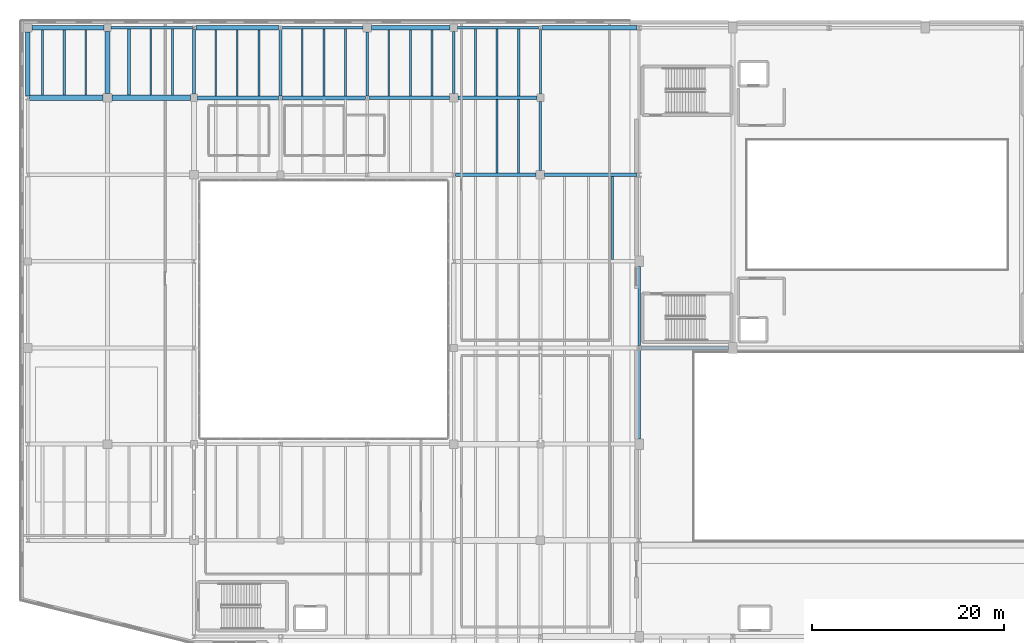
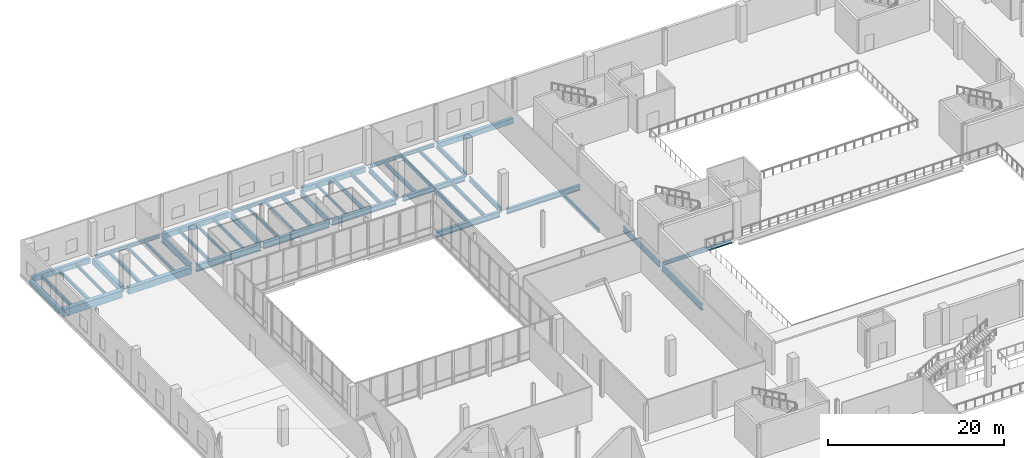
# One storey, part 34 of 73: 47 beams.
"""IFC4 building model written with IfcOpenShell, lengths in metres."""

from ifc_helpers import new_model, si_unit, direction, frame, origin, origin_2d, place, context, subcontext, project, spatial, rectangle, i_section, extrude, material, material_profile, profile_set, type_object, element, save


model = new_model("IFC4")

# Units and contexts
model_context = context("Model", 3, precision=1e-05, world=origin(), true_north=direction((0.0, 1.0)))
body_context = subcontext(model_context, "Body", "Model", "MODEL_VIEW")
ifc_project = project(units=[si_unit("LENGTHUNIT", "METRE"), si_unit("AREAUNIT", "SQUARE_METRE"), si_unit("VOLUMEUNIT", "CUBIC_METRE"), si_unit("PLANEANGLEUNIT", "RADIAN"), si_unit("MASSUNIT", "GRAM", prefix="KILO")], contexts=[model_context])

# Site, building, storey
site_placement = place(None, origin())
site = spatial("IfcSite", under=ifc_project, at=site_placement, CompositionType="ELEMENT")
building_placement = place(site_placement, origin())
building = spatial("IfcBuilding", under=site, at=building_placement, Name="Trimount Lyric Opera House", CompositionType="ELEMENT")
storey_placement = place(building_placement, frame((0.0, 0.0, 10.0)))
storey = spatial("IfcBuildingStorey", under=building, at=storey_placement, Name="L02", CompositionType="ELEMENT", Elevation=10.0)

# Beams
ifc_material_1 = material(Name="Steel ASTM A992 Grade 50", Category="steel")
ifc_material_profile_1 = material_profile(ifc_material_1, i_section(OverallWidth=0.4189453125, OverallDepth=0.927001953125, WebThickness=0.019287109375, FlangeThickness=0.031982421875, FilletRadius=0.02392578125, at=origin_2d()), Name="W36X231")
ifc_profile_set_1 = profile_set([ifc_material_profile_1], Name="Steel ASTM A992 Grade 50")
beam_type_1 = type_object("IfcBeamType", Name="B-02", PredefinedType="BEAM", material=ifc_profile_set_1)
beam_1_placement = place(storey_placement, frame((18.375, 110.0, -0.743408203125), z_axis=(1.0, 0.0, 0.0), x_axis=(0.0, 1.0, 0.0)))
element("IfcBeam", 1, at=beam_1_placement, inside=storey, type_object=beam_type_1, Name="L02 girder X-0802", PredefinedType="BEAM", context=body_context, shape_type="SweptSolid", body=[
    extrude(i_section(OverallWidth=0.4189453125, OverallDepth=0.927001953125, WebThickness=0.019287109375, FlangeThickness=0.031982421875, FilletRadius=0.02392578125, at=origin_2d()), origin(), (0.0, 0.0, 1.0), 8.44091796875),
])
ifc_material_2 = material(Name="Steel ASTM A992 Grade 50", Category="steel")
ifc_material_profile_2 = material_profile(ifc_material_2, i_section(OverallWidth=0.304931640625, OverallDepth=0.9189453125, WebThickness=0.017333984375, FlangeThickness=0.02783203125, FilletRadius=0.02001953125, at=origin_2d()), Name="W36X170")
ifc_profile_set_2 = profile_set([ifc_material_profile_2], Name="Steel ASTM A992 Grade 50")
beam_type_2 = type_object("IfcBeamType", Name="B-03", PredefinedType="BEAM", material=ifc_profile_set_2)
beam_2_placement = place(storey_placement, frame((18.0, 110.375, -0.739501953125), z_axis=(0.0, 1.0, 0.0), x_axis=(-1.0, 0.0, 0.0)))
element("IfcBeam", 2, at=beam_2_placement, inside=storey, type_object=beam_type_2, Name="L02 girder Y-0844", PredefinedType="BEAM", context=body_context, shape_type="SweptSolid", body=[
    extrude(i_section(OverallWidth=0.304931640625, OverallDepth=0.9189453125, WebThickness=0.017333984375, FlangeThickness=0.02783203125, FilletRadius=0.02001953125, at=origin_2d()), origin(), (0.0, 0.0, 1.0), 6.72705078125),
])
ifc_material_3 = material(Name="Steel ASTM A992 Grade 50", Category="steel")
ifc_material_profile_3 = material_profile(ifc_material_3, i_section(OverallWidth=0.40087890625, OverallDepth=0.861083984375, WebThickness=0.019775390625, FlangeThickness=0.032470703125, FilletRadius=0.02001953125, at=origin_2d()), Name="W33X221")
ifc_profile_set_3 = profile_set([ifc_material_profile_3], Name="Steel ASTM A992 Grade 50")
beam_type_3 = type_object("IfcBeamType", Name="B-04", PredefinedType="BEAM", material=ifc_profile_set_3)
beam_3_placement = place(storey_placement, frame((27.18408203125, 110.0, -0.71044921875), z_axis=(1.0, 0.0, 0.0), x_axis=(0.0, 1.0, 0.0)))
element("IfcBeam", 3, at=beam_3_placement, inside=storey, type_object=beam_type_3, Name="L02 girder X-0803", PredefinedType="BEAM", context=body_context, shape_type="SweptSolid", body=[
    extrude(i_section(OverallWidth=0.40087890625, OverallDepth=0.861083984375, WebThickness=0.019775390625, FlangeThickness=0.032470703125, FilletRadius=0.02001953125, at=origin_2d()), origin(), (0.0, 0.0, 1.0), 8.62939453125),
])
ifc_material_4 = material(Name="Steel ASTM A992 Grade 50", Category="steel")
ifc_material_profile_4 = material_profile(ifc_material_4, i_section(OverallWidth=0.2919921875, OverallDepth=0.845947265625, WebThickness=0.015380859375, FlangeThickness=0.0244140625, FilletRadius=0.01806640625, at=origin_2d()), Name="W33X141")
ifc_profile_set_4 = profile_set([ifc_material_profile_4], Name="Steel ASTM A992 Grade 50")
beam_type_4 = type_object("IfcBeamType", Name="B-05", PredefinedType="BEAM", material=ifc_profile_set_4)
beam_4_placement = place(storey_placement, frame((27.0, 110.177978515625, -0.702880859375), z_axis=(0.0, 1.0, 0.0), x_axis=(-1.0, 0.0, 0.0)))
element("IfcBeam", 4, at=beam_4_placement, inside=storey, type_object=beam_type_4, Name="L02 girder Y-0848", PredefinedType="BEAM", context=body_context, shape_type="SweptSolid", body=[
    extrude(i_section(OverallWidth=0.2919921875, OverallDepth=0.845947265625, WebThickness=0.015380859375, FlangeThickness=0.0244140625, FilletRadius=0.01806640625, at=origin_2d()), origin(), (0.0, 0.0, 1.0), 6.91796875),
])
beam_5_placement = place(storey_placement, frame((64.260009765625, 74.550048828125, -0.748046875), z_axis=(0.0, 1.0, 0.0), x_axis=(-1.0, 0.0, 0.0)))
element("IfcBeam", 5, at=beam_5_placement, inside=storey, type_object=beam_type_4, Name="L02 girder Y-0878", PredefinedType="BEAM", context=body_context, shape_type="SweptSolid", body=[
    extrude(i_section(OverallWidth=0.2919921875, OverallDepth=0.845947265625, WebThickness=0.015380859375, FlangeThickness=0.0244140625, FilletRadius=0.01806640625, at=origin_2d()), origin(), (0.0, 0.0, 1.0), 9.217529296875),
])
ifc_material_5 = material(Name="Steel ASTM A992 Grade 50", Category="steel")
ifc_material_profile_5 = material_profile(ifc_material_5, i_section(OverallWidth=0.382080078125, OverallDepth=0.779052734375, WebThickness=0.01806640625, FlangeThickness=0.0302734375, FilletRadius=0.01904296875, at=origin_2d()), Name="W30X191")
ifc_profile_set_5 = profile_set([ifc_material_profile_5], Name="Steel ASTM A992 Grade 50")
beam_type_5 = type_object("IfcBeamType", Name="B-06", PredefinedType="BEAM", material=ifc_profile_set_5)
for number, where, z_axis, x_axis, name in (
    (6, (45.1865234375, 102.0, -0.66943359375), (1.0, 0.0, 0.0), (0.0, 1.0, 0.0), "L02 girder X-0792"),
    (7, (36.1865234375, 110.0, -0.66943359375), (1.0, 0.0, 0.0), (0.0, 1.0, 0.0), "L02 girder X-0804"),
):
    element("IfcBeam", number, at=place(storey_placement, frame(where, z_axis=z_axis, x_axis=x_axis)), inside=storey, type_object=beam_type_5, Name=name, PredefinedType="BEAM", context=body_context, shape_type="SweptSolid", body=[
        extrude(i_section(OverallWidth=0.382080078125, OverallDepth=0.779052734375, WebThickness=0.01806640625, FlangeThickness=0.0302734375, FilletRadius=0.01904296875, at=origin_2d()), origin(), (0.0, 0.0, 1.0), 8.363525390625),
    ])
ifc_material_6 = material(Name="Steel ASTM A992 Grade 50", Category="steel")
ifc_material_profile_6 = material_profile(ifc_material_6, i_section(OverallWidth=0.26708984375, OverallDepth=0.761962890625, WebThickness=0.014404296875, FlangeThickness=0.021484375, FilletRadius=0.01708984375, at=origin_2d()), Name="W30X116")
ifc_profile_set_6 = profile_set([ifc_material_profile_6], Name="Steel ASTM A992 Grade 50")
beam_type_6 = type_object("IfcBeamType", Name="B-07", PredefinedType="BEAM", material=ifc_profile_set_6)
beam_6_placement = place(storey_placement, frame((36.0, 110.18408203125, -0.660888671875), z_axis=(0.0, 1.0, 0.0), x_axis=(-1.0, 0.0, 0.0)))
element("IfcBeam", 8, at=beam_6_placement, inside=storey, type_object=beam_type_6, Name="L02 girder Y-0852", PredefinedType="BEAM", context=body_context, shape_type="SweptSolid", body=[
    extrude(i_section(OverallWidth=0.26708984375, OverallDepth=0.761962890625, WebThickness=0.014404296875, FlangeThickness=0.021484375, FilletRadius=0.01708984375, at=origin_2d()), origin(), (0.0, 0.0, 1.0), 6.64599609375),
])
beam_7_placement = place(storey_placement, frame((64.260009765625, 84.232421875, -0.7060546875), z_axis=(0.0, 1.0, 0.0), x_axis=(-1.0, 0.0, 0.0)))
element("IfcBeam", 9, at=beam_7_placement, inside=storey, type_object=beam_type_6, Name="L02 girder Y-0879", PredefinedType="BEAM", context=body_context, shape_type="SweptSolid", body=[
    extrude(i_section(OverallWidth=0.26708984375, OverallDepth=0.761962890625, WebThickness=0.014404296875, FlangeThickness=0.021484375, FilletRadius=0.01708984375, at=origin_2d()), origin(), (0.0, 0.0, 1.0), 8.217529296875),
])
ifc_material_7 = material(Name="Steel ASTM A992 Grade 50", Category="steel")
ifc_material_profile_7 = material_profile(ifc_material_7, i_section(OverallWidth=0.35595703125, OverallDepth=0.700927734375, WebThickness=0.016845703125, FlangeThickness=0.02734375, FilletRadius=0.01806640625, at=origin_2d()), Name="W27X161")
ifc_profile_set_7 = profile_set([ifc_material_profile_7], Name="Steel ASTM A992 Grade 50")
beam_type_7 = type_object("IfcBeamType", Name="B-08", PredefinedType="BEAM", material=ifc_profile_set_7)
beam_8_placement = place(storey_placement, frame((54.449951171875, 102.0, -0.675537109375), z_axis=(1.0, 0.0, 0.0), x_axis=(0.0, 1.0, 0.0)))
element("IfcBeam", 10, at=beam_8_placement, inside=storey, type_object=beam_type_7, Name="L02 girder X-0793", PredefinedType="BEAM", context=body_context, shape_type="SweptSolid", body=[
    extrude(i_section(OverallWidth=0.35595703125, OverallDepth=0.700927734375, WebThickness=0.016845703125, FlangeThickness=0.02734375, FilletRadius=0.01806640625, at=origin_2d()), origin(), (0.0, 0.0, 1.0), 9.59912109375),
])
beam_9_placement = place(storey_placement, frame((45.449951171875, 110.0, -0.630615234375), z_axis=(1.0, 0.0, 0.0), x_axis=(0.0, 1.0, 0.0)))
element("IfcBeam", 11, at=beam_9_placement, inside=storey, type_object=beam_type_7, Name="L02 girder X-0805", PredefinedType="BEAM", context=body_context, shape_type="SweptSolid", body=[
    extrude(i_section(OverallWidth=0.35595703125, OverallDepth=0.700927734375, WebThickness=0.016845703125, FlangeThickness=0.02734375, FilletRadius=0.01806640625, at=origin_2d()), origin(), (0.0, 0.0, 1.0), 8.175048828125),
])
ifc_material_8 = material(Name="Steel ASTM A992 Grade 50", Category="steel")
ifc_material_profile_8 = material_profile(ifc_material_8, i_section(OverallWidth=0.25390625, OverallDepth=0.68798828125, WebThickness=0.01318359375, FlangeThickness=0.02099609375, FilletRadius=0.01611328125, at=origin_2d()), Name="W27X102")
ifc_profile_set_8 = profile_set([ifc_material_profile_8], Name="Steel ASTM A992 Grade 50")
beam_type_8 = type_object("IfcBeamType", Name="B-09", PredefinedType="BEAM", material=ifc_profile_set_8)
beam_10_placement = place(storey_placement, frame((45.0, 110.449951171875, -0.6240234375), z_axis=(0.0, 1.0, 0.0), x_axis=(-1.0, 0.0, 0.0)))
element("IfcBeam", 12, at=beam_10_placement, inside=storey, type_object=beam_type_8, Name="L02 girder Y-0862", PredefinedType="BEAM", context=body_context, shape_type="SweptSolid", body=[
    extrude(i_section(OverallWidth=0.25390625, OverallDepth=0.68798828125, WebThickness=0.01318359375, FlangeThickness=0.02099609375, FilletRadius=0.01611328125, at=origin_2d()), origin(), (0.0, 0.0, 1.0), 6.455078125),
])
beam_11_placement = place(storey_placement, frame((54.0, 102.449951171875, -0.6240234375), z_axis=(0.0, 1.0, 0.0), x_axis=(-1.0, 0.0, 0.0)))
element("IfcBeam", 13, at=beam_11_placement, inside=storey, type_object=beam_type_8, Name="L02 girder Y-0871", PredefinedType="BEAM", context=body_context, shape_type="SweptSolid", body=[
    extrude(i_section(OverallWidth=0.25390625, OverallDepth=0.68798828125, WebThickness=0.01318359375, FlangeThickness=0.02099609375, FilletRadius=0.01611328125, at=origin_2d()), origin(), (0.0, 0.0, 1.0), 7.175048828125),
])
ifc_material_9 = material(Name="Steel ASTM A992 Grade 50", Category="steel")
ifc_material_profile_9 = material_profile(ifc_material_9, i_section(OverallWidth=0.22998046875, OverallDepth=0.616943359375, WebThickness=0.01318359375, FlangeThickness=0.022216796875, FilletRadius=0.013916015625, at=origin_2d()), Name="W24X94")
ifc_profile_set_9 = profile_set([ifc_material_profile_9], Name="Steel ASTM A992 Grade 50")
beam_type_9 = type_object("IfcBeamType", Name="B-11", PredefinedType="BEAM", material=ifc_profile_set_9)
beam_12_placement = place(storey_placement, frame((54.0, 110.375, -0.58837890625), z_axis=(0.0, 1.0, 0.0), x_axis=(-1.0, 0.0, 0.0)))
element("IfcBeam", 14, at=beam_12_placement, inside=storey, type_object=beam_type_9, Name="L02 girder Y-0872", PredefinedType="BEAM", context=body_context, shape_type="SweptSolid", body=[
    extrude(i_section(OverallWidth=0.22998046875, OverallDepth=0.616943359375, WebThickness=0.01318359375, FlangeThickness=0.022216796875, FilletRadius=0.013916015625, at=origin_2d()), origin(), (0.0, 0.0, 1.0), 6.72705078125),
])
ifc_material_10 = material(Name="Concrete C40/50", Category="concrete")
ifc_material_profile_10 = material_profile(ifc_material_10, rectangle(XDim=0.60009765625, YDim=1.0, at=origin_2d()), Name="RC600X1000")
ifc_profile_set_10 = profile_set([ifc_material_profile_10], Name="Concrete C40/50")
beam_type_10 = type_object("IfcBeamType", Name="B-13", PredefinedType="BEAM", material=ifc_profile_set_10)
beam_13_placement = place(storey_placement, frame((0.906494140625, 110.0, -0.780029296875), z_axis=(1.0, 0.0, 0.0), x_axis=(0.0, 1.0, 0.0)))
element("IfcBeam", 15, at=beam_13_placement, inside=storey, type_object=beam_type_10, Name="L02 girder X-0800", PredefinedType="BEAM", context=body_context, shape_type="SweptSolid", body=[
    extrude(rectangle(XDim=0.60009765625, YDim=1.0, at=origin_2d()), origin(), (0.0, 0.0, 1.0), 7.6435546875),
])
ifc_material_11 = material(Name="Concrete C40/50", Category="concrete")
ifc_material_profile_11 = material_profile(ifc_material_11, rectangle(XDim=0.550048828125, YDim=0.89990234375, at=origin_2d()), Name="RC550X900")
ifc_profile_set_11 = profile_set([ifc_material_profile_11], Name="Concrete C40/50")
beam_type_11 = type_object("IfcBeamType", Name="B-14", PredefinedType="BEAM", material=ifc_profile_set_11)
beam_14_placement = place(storey_placement, frame((9.449951171875, 110.0, -0.72998046875), z_axis=(1.0, 0.0, 0.0), x_axis=(0.0, 1.0, 0.0)))
element("IfcBeam", 16, at=beam_14_placement, inside=storey, type_object=beam_type_11, Name="L02 girder X-0801", PredefinedType="BEAM", context=body_context, shape_type="SweptSolid", body=[
    extrude(rectangle(XDim=0.550048828125, YDim=0.89990234375, at=origin_2d()), origin(), (0.0, 0.0, 1.0), 8.175048828125),
])
ifc_material_12 = material(Name="Concrete C40/50", Category="concrete")
ifc_material_profile_12 = material_profile(ifc_material_12, rectangle(XDim=0.5, YDim=0.800048828125, at=origin_2d()), Name="RC500X800")
ifc_profile_set_12 = profile_set([ifc_material_profile_12], Name="Concrete C40/50")
beam_type_12 = type_object("IfcBeamType", Name="B-15", PredefinedType="BEAM", material=ifc_profile_set_12)
beam_15_placement = place(storey_placement, frame((9.0, 110.449951171875, -0.679931640625), z_axis=(0.0, 1.0, 0.0), x_axis=(-1.0, 0.0, 0.0)))
element("IfcBeam", 17, at=beam_15_placement, inside=storey, type_object=beam_type_12, Name="L02 girder Y-0837", PredefinedType="BEAM", context=body_context, shape_type="SweptSolid", body=[
    extrude(rectangle(XDim=0.5, YDim=0.800048828125, at=origin_2d()), origin(), (0.0, 0.0, 1.0), 6.455078125),
])
ifc_material_13 = material(Name="Steel ASTM A992 Grade 50", Category="steel")
ifc_material_profile_13 = material_profile(ifc_material_13, i_section(OverallWidth=0.22802734375, OverallDepth=0.60205078125, WebThickness=0.010498046875, FlangeThickness=0.014892578125, FilletRadius=0.012939453125, at=origin_2d()), Name="W24X68")
ifc_profile_set_13 = profile_set([ifc_material_profile_13], Name="Steel ASTM A992 Grade 50")
beam_type_13 = type_object("IfcBeamType", Name="J-01", PredefinedType="BEAM", material=ifc_profile_set_13)
beam_16_placement = place(storey_placement, frame((33.75, 110.196533203125, -0.5810546875), z_axis=(0.0, 1.0, 0.0), x_axis=(-1.0, 0.0, 0.0)))
element("IfcBeam", 18, at=beam_16_placement, inside=storey, type_object=beam_type_13, Name="L02 composite floor joist 0833", PredefinedType="BEAM", context=body_context, shape_type="SweptSolid", body=[
    extrude(i_section(OverallWidth=0.22802734375, OverallDepth=0.60205078125, WebThickness=0.010498046875, FlangeThickness=0.014892578125, FilletRadius=0.012939453125, at=origin_2d()), origin(), (0.0, 0.0, 1.0), 6.946533203125),
])
beam_17_placement = place(storey_placement, frame((40.5, 110.18701171875, -0.5810546875), z_axis=(0.0, 1.0, 0.0), x_axis=(-1.0, 0.0, 0.0)))
element("IfcBeam", 19, at=beam_17_placement, inside=storey, type_object=beam_type_13, Name="L02 composite floor joist 0844", PredefinedType="BEAM", context=body_context, shape_type="SweptSolid", body=[
    extrude(i_section(OverallWidth=0.22802734375, OverallDepth=0.60205078125, WebThickness=0.010498046875, FlangeThickness=0.014892578125, FilletRadius=0.012939453125, at=origin_2d()), origin(), (0.0, 0.0, 1.0), 6.8720703125),
])
beam_18_placement = place(storey_placement, frame((49.5, 102.18701171875, -0.5810546875), z_axis=(0.0, 1.0, 0.0), x_axis=(-1.0, 0.0, 0.0)))
element("IfcBeam", 20, at=beam_18_placement, inside=storey, type_object=beam_type_13, Name="L02 composite floor joist 0870", PredefinedType="BEAM", context=body_context, shape_type="SweptSolid", body=[
    extrude(i_section(OverallWidth=0.22802734375, OverallDepth=0.60205078125, WebThickness=0.010498046875, FlangeThickness=0.014892578125, FilletRadius=0.012939453125, at=origin_2d()), origin(), (0.0, 0.0, 1.0), 7.638916015625),
])
beam_19_placement = place(storey_placement, frame((47.25, 110.174072265625, -0.5810546875), z_axis=(0.0, 1.0, 0.0), x_axis=(-1.0, 0.0, 0.0)))
element("IfcBeam", 21, at=beam_19_placement, inside=storey, type_object=beam_type_13, Name="L02 composite floor joist 0872", PredefinedType="BEAM", context=body_context, shape_type="SweptSolid", body=[
    extrude(i_section(OverallWidth=0.22802734375, OverallDepth=0.60205078125, WebThickness=0.010498046875, FlangeThickness=0.014892578125, FilletRadius=0.012939453125, at=origin_2d()), origin(), (0.0, 0.0, 1.0), 6.968994140625),
])
ifc_material_14 = material(Name="Steel ASTM A992 Grade 50", Category="steel")
ifc_material_profile_14 = material_profile(ifc_material_14, i_section(OverallWidth=0.2099609375, OverallDepth=0.532958984375, WebThickness=0.01025390625, FlangeThickness=0.015625, FilletRadius=0.012939453125, at=origin_2d()), Name="W21X62")
ifc_profile_set_14 = profile_set([ifc_material_profile_14], Name="Steel ASTM A992 Grade 50")
beam_type_14 = type_object("IfcBeamType", Name="J-02", PredefinedType="BEAM", material=ifc_profile_set_14)
beam_20_placement = place(storey_placement, frame((2.25, 110.2958984375, -0.54638671875), z_axis=(0.0, 1.0, 0.0), x_axis=(-1.0, 0.0, 0.0)))
element("IfcBeam", 22, at=beam_20_placement, inside=storey, type_object=beam_type_14, Name="L02 composite floor joist 0806", PredefinedType="BEAM", context=body_context, shape_type="SweptSolid", body=[
    extrude(i_section(OverallWidth=0.2099609375, OverallDepth=0.532958984375, WebThickness=0.01025390625, FlangeThickness=0.015625, FilletRadius=0.012939453125, at=origin_2d()), origin(), (0.0, 0.0, 1.0), 6.76318359375),
])
beam_21_placement = place(storey_placement, frame((42.75, 110.18701171875, -0.54638671875), z_axis=(0.0, 1.0, 0.0), x_axis=(-1.0, 0.0, 0.0)))
element("IfcBeam", 23, at=beam_21_placement, inside=storey, type_object=beam_type_14, Name="L02 composite floor joist 0845", PredefinedType="BEAM", context=body_context, shape_type="SweptSolid", body=[
    extrude(i_section(OverallWidth=0.2099609375, OverallDepth=0.532958984375, WebThickness=0.01025390625, FlangeThickness=0.015625, FilletRadius=0.012939453125, at=origin_2d()), origin(), (0.0, 0.0, 1.0), 6.8720703125),
])
beam_22_placement = place(storey_placement, frame((51.75, 102.18701171875, -0.54638671875), z_axis=(0.0, 1.0, 0.0), x_axis=(-1.0, 0.0, 0.0)))
element("IfcBeam", 24, at=beam_22_placement, inside=storey, type_object=beam_type_14, Name="L02 composite floor joist 0871", PredefinedType="BEAM", context=body_context, shape_type="SweptSolid", body=[
    extrude(i_section(OverallWidth=0.2099609375, OverallDepth=0.532958984375, WebThickness=0.01025390625, FlangeThickness=0.015625, FilletRadius=0.012939453125, at=origin_2d()), origin(), (0.0, 0.0, 1.0), 7.638916015625),
])
beam_23_placement = place(storey_placement, frame((49.5, 110.174072265625, -0.54638671875), z_axis=(0.0, 1.0, 0.0), x_axis=(-1.0, 0.0, 0.0)))
element("IfcBeam", 25, at=beam_23_placement, inside=storey, type_object=beam_type_14, Name="L02 composite floor joist 0873", PredefinedType="BEAM", context=body_context, shape_type="SweptSolid", body=[
    extrude(i_section(OverallWidth=0.2099609375, OverallDepth=0.532958984375, WebThickness=0.01025390625, FlangeThickness=0.015625, FilletRadius=0.012939453125, at=origin_2d()), origin(), (0.0, 0.0, 1.0), 6.968994140625),
])
beam_24_placement = place(storey_placement, frame((61.5, 93.18701171875, -0.54638671875), z_axis=(0.0, 1.0, 0.0), x_axis=(-1.0, 0.0, 0.0)))
element("IfcBeam", 26, at=beam_24_placement, inside=storey, type_object=beam_type_14, Name="L02 composite floor joist 0895", PredefinedType="BEAM", context=body_context, shape_type="SweptSolid", body=[
    extrude(i_section(OverallWidth=0.2099609375, OverallDepth=0.532958984375, WebThickness=0.01025390625, FlangeThickness=0.015625, FilletRadius=0.012939453125, at=origin_2d()), origin(), (0.0, 0.0, 1.0), 8.638916015625),
])
ifc_material_15 = material(Name="Steel ASTM A992 Grade 50", Category="steel")
ifc_material_profile_15 = material_profile(ifc_material_15, i_section(OverallWidth=0.281982421875, OverallDepth=0.467041015625, WebThickness=0.01220703125, FlangeThickness=0.01953125, FilletRadius=0.012939453125, at=origin_2d()), Name="W18X86")
ifc_profile_set_15 = profile_set([ifc_material_profile_15], Name="Steel ASTM A992 Grade 50")
beam_type_15 = type_object("IfcBeamType", Name="J-03", PredefinedType="BEAM", material=ifc_profile_set_15)
beam_25_placement = place(storey_placement, frame((4.5, 110.2958984375, -0.513427734375), z_axis=(0.0, 1.0, 0.0), x_axis=(-1.0, 0.0, 0.0)))
element("IfcBeam", 27, at=beam_25_placement, inside=storey, type_object=beam_type_15, Name="L02 composite floor joist 0807", PredefinedType="BEAM", context=body_context, shape_type="SweptSolid", body=[
    extrude(i_section(OverallWidth=0.281982421875, OverallDepth=0.467041015625, WebThickness=0.01220703125, FlangeThickness=0.01953125, FilletRadius=0.012939453125, at=origin_2d()), origin(), (0.0, 0.0, 1.0), 6.76318359375),
])
beam_26_placement = place(storey_placement, frame((11.25, 110.27099609375, -0.513427734375), z_axis=(0.0, 1.0, 0.0), x_axis=(-1.0, 0.0, 0.0)))
element("IfcBeam", 28, at=beam_26_placement, inside=storey, type_object=beam_type_15, Name="L02 composite floor joist 0812", PredefinedType="BEAM", context=body_context, shape_type="SweptSolid", body=[
    extrude(i_section(OverallWidth=0.281982421875, OverallDepth=0.467041015625, WebThickness=0.01220703125, FlangeThickness=0.01953125, FilletRadius=0.012939453125, at=origin_2d()), origin(), (0.0, 0.0, 1.0), 6.8720703125),
])
beam_27_placement = place(storey_placement, frame((51.75, 110.174072265625, -0.513427734375), z_axis=(0.0, 1.0, 0.0), x_axis=(-1.0, 0.0, 0.0)))
element("IfcBeam", 29, at=beam_27_placement, inside=storey, type_object=beam_type_15, Name="L02 composite floor joist 0874", PredefinedType="BEAM", context=body_context, shape_type="SweptSolid", body=[
    extrude(i_section(OverallWidth=0.281982421875, OverallDepth=0.467041015625, WebThickness=0.01220703125, FlangeThickness=0.01953125, FilletRadius=0.012939453125, at=origin_2d()), origin(), (0.0, 0.0, 1.0), 6.968994140625),
])
ifc_material_16 = material(Name="Steel ASTM A992 Grade 50", Category="steel")
ifc_material_profile_16 = material_profile(ifc_material_16, i_section(OverallWidth=0.19091796875, OverallDepth=0.45703125, WebThickness=0.009033203125, FlangeThickness=0.014404296875, FilletRadius=0.010986328125, at=origin_2d()), Name="W18X50")
ifc_profile_set_16 = profile_set([ifc_material_profile_16], Name="Steel ASTM A992 Grade 50")
beam_type_16 = type_object("IfcBeamType", Name="J-04", PredefinedType="BEAM", material=ifc_profile_set_16)
beam_28_placement = place(storey_placement, frame((6.75, 110.2958984375, -0.508544921875), z_axis=(0.0, 1.0, 0.0), x_axis=(-1.0, 0.0, 0.0)))
element("IfcBeam", 30, at=beam_28_placement, inside=storey, type_object=beam_type_16, Name="L02 composite floor joist 0808", PredefinedType="BEAM", context=body_context, shape_type="SweptSolid", body=[
    extrude(i_section(OverallWidth=0.19091796875, OverallDepth=0.45703125, WebThickness=0.009033203125, FlangeThickness=0.014404296875, FilletRadius=0.010986328125, at=origin_2d()), origin(), (0.0, 0.0, 1.0), 6.76318359375),
])
beam_29_placement = place(storey_placement, frame((13.5, 110.27099609375, -0.508544921875), z_axis=(0.0, 1.0, 0.0), x_axis=(-1.0, 0.0, 0.0)))
element("IfcBeam", 31, at=beam_29_placement, inside=storey, type_object=beam_type_16, Name="L02 composite floor joist 0813", PredefinedType="BEAM", context=body_context, shape_type="SweptSolid", body=[
    extrude(i_section(OverallWidth=0.19091796875, OverallDepth=0.45703125, WebThickness=0.009033203125, FlangeThickness=0.014404296875, FilletRadius=0.010986328125, at=origin_2d()), origin(), (0.0, 0.0, 1.0), 6.8720703125),
])
beam_30_placement = place(storey_placement, frame((20.25, 110.20556640625, -0.508544921875), z_axis=(0.0, 1.0, 0.0), x_axis=(-1.0, 0.0, 0.0)))
element("IfcBeam", 32, at=beam_30_placement, inside=storey, type_object=beam_type_16, Name="L02 composite floor joist 0821", PredefinedType="BEAM", context=body_context, shape_type="SweptSolid", body=[
    extrude(i_section(OverallWidth=0.19091796875, OverallDepth=0.45703125, WebThickness=0.009033203125, FlangeThickness=0.014404296875, FilletRadius=0.010986328125, at=origin_2d()), origin(), (0.0, 0.0, 1.0), 6.853515625),
])
ifc_material_17 = material(Name="Steel ASTM A992 Grade 50", Category="steel")
ifc_material_profile_17 = material_profile(ifc_material_17, i_section(OverallWidth=0.180908203125, OverallDepth=0.4169921875, WebThickness=0.010986328125, FlangeThickness=0.018310546875, FilletRadius=0.010986328125, at=origin_2d()), Name="W16X57")
ifc_profile_set_17 = profile_set([ifc_material_profile_17], Name="Steel ASTM A992 Grade 50")
beam_type_17 = type_object("IfcBeamType", Name="J-05", PredefinedType="BEAM", material=ifc_profile_set_17)
beam_31_placement = place(storey_placement, frame((15.75, 110.27099609375, -0.488525390625), z_axis=(0.0, 1.0, 0.0), x_axis=(-1.0, 0.0, 0.0)))
element("IfcBeam", 33, at=beam_31_placement, inside=storey, type_object=beam_type_17, Name="L02 composite floor joist 0814", PredefinedType="BEAM", context=body_context, shape_type="SweptSolid", body=[
    extrude(i_section(OverallWidth=0.180908203125, OverallDepth=0.4169921875, WebThickness=0.010986328125, FlangeThickness=0.018310546875, FilletRadius=0.010986328125, at=origin_2d()), origin(), (0.0, 0.0, 1.0), 6.8720703125),
])
beam_32_placement = place(storey_placement, frame((22.5, 110.20556640625, -0.488525390625), z_axis=(0.0, 1.0, 0.0), x_axis=(-1.0, 0.0, 0.0)))
element("IfcBeam", 34, at=beam_32_placement, inside=storey, type_object=beam_type_17, Name="L02 composite floor joist 0822", PredefinedType="BEAM", context=body_context, shape_type="SweptSolid", body=[
    extrude(i_section(OverallWidth=0.180908203125, OverallDepth=0.4169921875, WebThickness=0.010986328125, FlangeThickness=0.018310546875, FilletRadius=0.010986328125, at=origin_2d()), origin(), (0.0, 0.0, 1.0), 6.853515625),
])
beam_33_placement = place(storey_placement, frame((29.25, 110.196533203125, -0.488525390625), z_axis=(0.0, 1.0, 0.0), x_axis=(-1.0, 0.0, 0.0)))
element("IfcBeam", 35, at=beam_33_placement, inside=storey, type_object=beam_type_17, Name="L02 composite floor joist 0831", PredefinedType="BEAM", context=body_context, shape_type="SweptSolid", body=[
    extrude(i_section(OverallWidth=0.180908203125, OverallDepth=0.4169921875, WebThickness=0.010986328125, FlangeThickness=0.018310546875, FilletRadius=0.010986328125, at=origin_2d()), origin(), (0.0, 0.0, 1.0), 6.946533203125),
])
ifc_material_18 = material(Name="Steel ASTM A992 Grade 50", Category="steel")
ifc_material_profile_18 = material_profile(ifc_material_18, i_section(OverallWidth=0.177978515625, OverallDepth=0.404052734375, WebThickness=0.007568359375, FlangeThickness=0.010986328125, FilletRadius=0.010009765625, at=origin_2d()), Name="W16X36")
ifc_profile_set_18 = profile_set([ifc_material_profile_18], Name="Steel ASTM A992 Grade 50")
beam_type_18 = type_object("IfcBeamType", Name="J-06", PredefinedType="BEAM", material=ifc_profile_set_18)
beam_34_placement = place(storey_placement, frame((24.75, 110.20556640625, -0.48193359375), z_axis=(0.0, 1.0, 0.0), x_axis=(-1.0, 0.0, 0.0)))
element("IfcBeam", 36, at=beam_34_placement, inside=storey, type_object=beam_type_18, Name="L02 composite floor joist 0823", PredefinedType="BEAM", context=body_context, shape_type="SweptSolid", body=[
    extrude(i_section(OverallWidth=0.177978515625, OverallDepth=0.404052734375, WebThickness=0.007568359375, FlangeThickness=0.010986328125, FilletRadius=0.010009765625, at=origin_2d()), origin(), (0.0, 0.0, 1.0), 6.853515625),
])
beam_35_placement = place(storey_placement, frame((31.5, 110.196533203125, -0.48193359375), z_axis=(0.0, 1.0, 0.0), x_axis=(-1.0, 0.0, 0.0)))
element("IfcBeam", 37, at=beam_35_placement, inside=storey, type_object=beam_type_18, Name="L02 composite floor joist 0832", PredefinedType="BEAM", context=body_context, shape_type="SweptSolid", body=[
    extrude(i_section(OverallWidth=0.177978515625, OverallDepth=0.404052734375, WebThickness=0.007568359375, FlangeThickness=0.010986328125, FilletRadius=0.010009765625, at=origin_2d()), origin(), (0.0, 0.0, 1.0), 6.946533203125),
])
beam_36_placement = place(storey_placement, frame((38.25, 110.18701171875, -0.48193359375), z_axis=(0.0, 1.0, 0.0), x_axis=(-1.0, 0.0, 0.0)))
element("IfcBeam", 38, at=beam_36_placement, inside=storey, type_object=beam_type_18, Name="L02 composite floor joist 0843", PredefinedType="BEAM", context=body_context, shape_type="SweptSolid", body=[
    extrude(i_section(OverallWidth=0.177978515625, OverallDepth=0.404052734375, WebThickness=0.007568359375, FlangeThickness=0.010986328125, FilletRadius=0.010009765625, at=origin_2d()), origin(), (0.0, 0.0, 1.0), 6.8720703125),
])
ifc_material_19 = material(Name="Steel ASTM A992 Grade 50", Category="steel")
ifc_material_profile_19 = material_profile(ifc_material_19, i_section(OverallWidth=0.281982421875, OverallDepth=0.467041015625, WebThickness=0.01220703125, FlangeThickness=0.01953125, FilletRadius=0.012939453125, at=origin_2d()), Name="W18X86")
ifc_profile_set_19 = profile_set([ifc_material_profile_19], Name="Steel ASTM A992 Grade 50")
beam_type_19 = type_object("IfcBeamType", Name="SP-01", PredefinedType="SPANDREL", material=ifc_profile_set_19)
beam_37_placement = place(storey_placement, frame((64.470947265625, 84.0, -0.55859375), z_axis=(1.0, 0.0, 0.0), x_axis=(0.0, 1.0, 0.0)))
element("IfcBeam", 39, at=beam_37_placement, inside=storey, type_object=beam_type_19, Name="L02 girder X-0776", PredefinedType="SPANDREL", context=body_context, shape_type="SweptSolid", body=[
    extrude(i_section(OverallWidth=0.281982421875, OverallDepth=0.467041015625, WebThickness=0.01220703125, FlangeThickness=0.01953125, FilletRadius=0.012939453125, at=origin_2d()), origin(), (0.0, 0.0, 1.0), 9.0791015625),
])
beam_38_placement = place(storey_placement, frame((9.375, 117.280029296875, -0.513427734375), z_axis=(1.0, 0.0, 0.0), x_axis=(0.0, 1.0, 0.0)))
element("IfcBeam", 40, at=beam_38_placement, inside=storey, type_object=beam_type_19, Name="L02 girder X-0812", PredefinedType="SPANDREL", context=body_context, shape_type="SweptSolid", body=[
    extrude(i_section(OverallWidth=0.281982421875, OverallDepth=0.467041015625, WebThickness=0.01220703125, FlangeThickness=0.01953125, FilletRadius=0.012939453125, at=origin_2d()), origin(), (0.0, 0.0, 1.0), 8.44091796875),
])
beam_39_placement = place(storey_placement, frame((27.1865234375, 117.280029296875, -0.513427734375), z_axis=(1.0, 0.0, 0.0), x_axis=(0.0, 1.0, 0.0)))
element("IfcBeam", 41, at=beam_39_placement, inside=storey, type_object=beam_type_19, Name="L02 girder X-0814", PredefinedType="SPANDREL", context=body_context, shape_type="SweptSolid", body=[
    extrude(i_section(OverallWidth=0.281982421875, OverallDepth=0.467041015625, WebThickness=0.01220703125, FlangeThickness=0.01953125, FilletRadius=0.012939453125, at=origin_2d()), origin(), (0.0, 0.0, 1.0), 8.363525390625),
])
beam_40_placement = place(storey_placement, frame((45.375, 117.280029296875, -0.513427734375), z_axis=(1.0, 0.0, 0.0), x_axis=(0.0, 1.0, 0.0)))
element("IfcBeam", 42, at=beam_40_placement, inside=storey, type_object=beam_type_19, Name="L02 girder X-0816", PredefinedType="SPANDREL", context=body_context, shape_type="SweptSolid", body=[
    extrude(i_section(OverallWidth=0.281982421875, OverallDepth=0.467041015625, WebThickness=0.01220703125, FlangeThickness=0.01953125, FilletRadius=0.012939453125, at=origin_2d()), origin(), (0.0, 0.0, 1.0), 8.44091796875),
])
ifc_material_20 = material(Name="Concrete C40/50", Category="concrete")
ifc_material_profile_20 = material_profile(ifc_material_20, rectangle(XDim=0.449951171875, YDim=0.699951171875, at=origin_2d()), Name="RC450X700")
ifc_profile_set_20 = profile_set([ifc_material_profile_20], Name="Concrete C40/50")
beam_type_20 = type_object("IfcBeamType", Name="SP-02", PredefinedType="SPANDREL", material=ifc_profile_set_20)
beam_41_placement = place(storey_placement, frame((1.169921875, 117.280029296875, -0.6298828125), z_axis=(1.0, 0.0, 0.0), x_axis=(0.0, 1.0, 0.0)))
element("IfcBeam", 43, at=beam_41_placement, inside=storey, type_object=beam_type_20, Name="L02 girder X-0811", PredefinedType="SPANDREL", context=body_context, shape_type="SweptSolid", body=[
    extrude(rectangle(XDim=0.449951171875, YDim=0.699951171875, at=origin_2d()), origin(), (0.0, 0.0, 1.0), 7.455078125),
])
beam_42_placement = place(storey_placement, frame((18.18408203125, 117.280029296875, -0.6298828125), z_axis=(1.0, 0.0, 0.0), x_axis=(0.0, 1.0, 0.0)))
element("IfcBeam", 44, at=beam_42_placement, inside=storey, type_object=beam_type_20, Name="L02 girder X-0813", PredefinedType="SPANDREL", context=body_context, shape_type="SweptSolid", body=[
    extrude(rectangle(XDim=0.449951171875, YDim=0.699951171875, at=origin_2d()), origin(), (0.0, 0.0, 1.0), 8.62939453125),
])
beam_43_placement = place(storey_placement, frame((36.449951171875, 117.280029296875, -0.6298828125), z_axis=(1.0, 0.0, 0.0), x_axis=(0.0, 1.0, 0.0)))
element("IfcBeam", 45, at=beam_43_placement, inside=storey, type_object=beam_type_20, Name="L02 girder X-0815", PredefinedType="SPANDREL", context=body_context, shape_type="SweptSolid", body=[
    extrude(rectangle(XDim=0.449951171875, YDim=0.699951171875, at=origin_2d()), origin(), (0.0, 0.0, 1.0), 8.175048828125),
])
beam_44_placement = place(storey_placement, frame((54.18408203125, 117.280029296875, -0.675048828125), z_axis=(1.0, 0.0, 0.0), x_axis=(0.0, 1.0, 0.0)))
element("IfcBeam", 46, at=beam_44_placement, inside=storey, type_object=beam_type_20, Name="L02 girder X-0817", PredefinedType="SPANDREL", context=body_context, shape_type="SweptSolid", body=[
    extrude(rectangle(XDim=0.449951171875, YDim=0.699951171875, at=origin_2d()), origin(), (0.0, 0.0, 1.0), 9.864990234375),
])
beam_45_placement = place(storey_placement, frame((0.719970703125, 110.18408203125, -0.6298828125), z_axis=(0.0, 1.0, 0.0), x_axis=(-1.0, 0.0, 0.0)))
element("IfcBeam", 47, at=beam_45_placement, inside=storey, type_object=beam_type_20, Name="L02 girder Y-0834", PredefinedType="SPANDREL", context=body_context, shape_type="SweptSolid", body=[
    extrude(rectangle(XDim=0.449951171875, YDim=0.699951171875, at=origin_2d()), origin(), (0.0, 0.0, 1.0), 6.64599609375),
])

save(model, "model.ifc")
